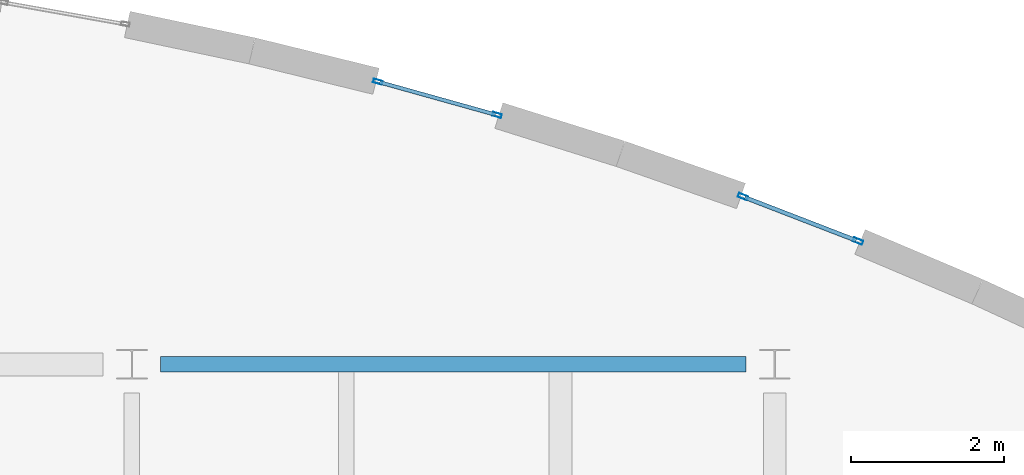
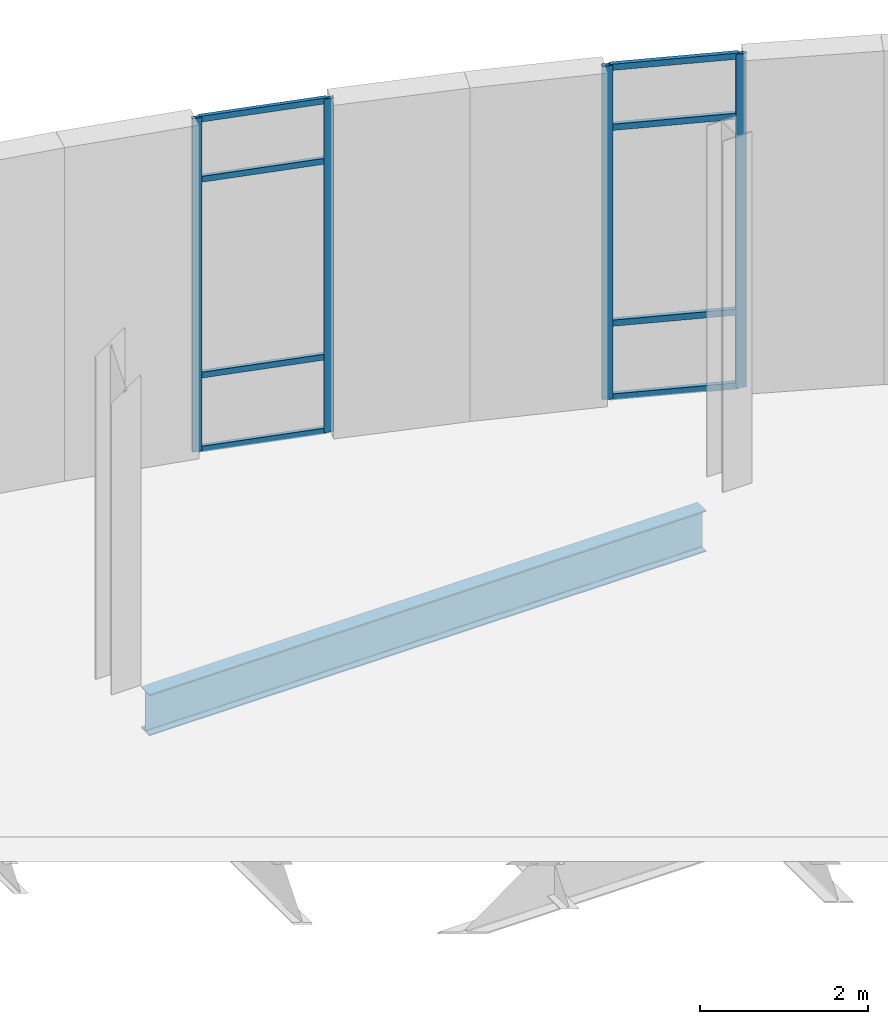
# One storey, part 38 of 104: 12 members, 1 beam, 2 elements without a shape of their own.
"""IFC4 building model written with IfcOpenShell, lengths in metres."""

from ifc_helpers import new_model, si_unit, direction, frame, origin, origin_2d, place, context, subcontext, project, spatial, hollow_rectangle, i_section, extrude, material, layer, layer_set, material_profile, profile_set, type_object, element, aggregate, save


model = new_model("IFC4")

# Units and contexts
model_context = context("Model", 3, precision=1e-05, world=origin(), true_north=direction((0.0, 1.0)))
body_context = subcontext(model_context, "Body", "Model", "MODEL_VIEW")
ifc_project = project(units=[si_unit("LENGTHUNIT", "METRE"), si_unit("AREAUNIT", "SQUARE_METRE"), si_unit("VOLUMEUNIT", "CUBIC_METRE"), si_unit("PLANEANGLEUNIT", "RADIAN"), si_unit("MASSUNIT", "GRAM", prefix="KILO"), si_unit("THERMODYNAMICTEMPERATUREUNIT", "KELVIN")], contexts=[model_context])

# Site, building, storey
site_placement = place(None, origin())
site = spatial("IfcSite", under=ifc_project, at=site_placement, CompositionType="ELEMENT")
building_placement = place(site_placement, origin())
building = spatial("IfcBuilding", under=site, at=building_placement, Name="Lustrewick Department Store", CompositionType="ELEMENT")
storey_placement = place(building_placement, frame((0.0, 0.0, 11.39990234375)))
storey = spatial("IfcBuildingStorey", under=building, at=storey_placement, Name="L03", CompositionType="ELEMENT", Elevation=11.39990234375)

# Curtain wall, members
ifc_material_1 = material(Name="Thermally broken aluminium 6063-T5", Category="aluminium")
ifc_layer_1 = layer(ifc_material_1, 0.1298828125, Name="Thermally broken aluminium 6063-T5")
ifc_layer_set_1 = layer_set([ifc_layer_1], Name="Thermally broken aluminium 6063-T5")
curtain_wall_type_1 = type_object("IfcCurtainWallType", Name="CW07", PredefinedType="NOTDEFINED", material=ifc_layer_set_1)
curtain_wall_1_placement = place(storey_placement, origin())
curtain_wall_1 = element("IfcCurtainWall", 1, at=curtain_wall_1_placement, inside=storey, type_object=curtain_wall_type_1, Name="L03 V4 Curtain Wall CW07", PredefinedType="NOTDEFINED")
ifc_material_profile_1 = material_profile(ifc_material_1, hollow_rectangle(XDim=0.054931640625, YDim=0.1298828125, WallThickness=0.00341796875, at=origin_2d()), Name="ALU-M 55x130x3.5")
ifc_profile_set_1 = profile_set([ifc_material_profile_1], Name="Thermally broken aluminium 6063-T5")
member_type_1 = type_object("IfcMemberType", Name="CW07-M1", PredefinedType="MULLION", material=ifc_profile_set_1)
member_1_placement = place(storey_placement, frame((135.48828125, 107.8095703125, 0.0), z_axis=(0.0, 0.0, 1.0), x_axis=(-0.360369620251, -0.932809593004, 0.0)))
member_1 = element("IfcMember", 2, at=member_1_placement, type_object=member_type_1, Name="CW07 mullion 1", PredefinedType="MULLION", context=body_context, shape_type="SweptSolid", body=[
    extrude(hollow_rectangle(XDim=0.054931640625, YDim=0.1298828125, WallThickness=0.00341796875, at=origin_2d()), origin(), (0.0, 0.0, 1.0), 4.84521484375),
])
member_2_placement = place(storey_placement, frame((133.984619140625, 108.390380859375, 0.0), z_axis=(0.0, 0.0, 1.0), x_axis=(-0.360369620251, -0.932809593004, 0.0)))
member_2 = element("IfcMember", 3, at=member_2_placement, type_object=member_type_1, Name="CW07 mullion 2", PredefinedType="MULLION", context=body_context, shape_type="SweptSolid", body=[
    extrude(hollow_rectangle(XDim=0.054931640625, YDim=0.1298828125, WallThickness=0.00341796875, at=origin_2d()), origin(), (0.0, 0.0, 1.0), 4.84521484375),
])
ifc_material_profile_2 = material_profile(ifc_material_1, hollow_rectangle(XDim=0.054931640625, YDim=0.090087890625, WallThickness=0.0029296875, at=origin_2d()), Name="ALU-T 55x90x3")
ifc_profile_set_2 = profile_set([ifc_material_profile_2], Name="Thermally broken aluminium 6063-T5")
member_type_2 = type_object("IfcMemberType", Name="CW07-T1", PredefinedType="USERDEFINED", material=ifc_profile_set_2)
member_3_placement = place(storey_placement, frame((135.462646484375, 107.819580078125, 0.027587890625), z_axis=(-0.932823291146, 0.360334160877, 0.0), x_axis=(-0.360334160877, -0.932823291146, 0.0)))
member_3 = element("IfcMember", 4, at=member_3_placement, type_object=member_type_2, Name="CW07 transom 1.1", ObjectType="TRANSOM", PredefinedType="USERDEFINED", context=body_context, shape_type="SweptSolid", body=[
    extrude(hollow_rectangle(XDim=0.054931640625, YDim=0.090087890625, WallThickness=0.0029296875, at=origin_2d()), origin(), (0.0, 0.0, 1.0), 1.556884765625),
])
member_4_placement = place(storey_placement, frame((135.462646484375, 107.819580078125, 1.10009765625), z_axis=(-0.932823291146, 0.360334160877, 0.0), x_axis=(-0.360334160877, -0.932823291146, 0.0)))
member_4 = element("IfcMember", 5, at=member_4_placement, type_object=member_type_2, Name="CW07 transom 1.2", ObjectType="TRANSOM", PredefinedType="USERDEFINED", context=body_context, shape_type="SweptSolid", body=[
    extrude(hollow_rectangle(XDim=0.054931640625, YDim=0.090087890625, WallThickness=0.0029296875, at=origin_2d()), origin(), (0.0, 0.0, 1.0), 1.556884765625),
])
member_5_placement = place(storey_placement, frame((135.462646484375, 107.819580078125, 3.945068359375), z_axis=(-0.932823291146, 0.360334160877, 0.0), x_axis=(-0.360334160877, -0.932823291146, 0.0)))
member_5 = element("IfcMember", 6, at=member_5_placement, type_object=member_type_2, Name="CW07 transom 1.3", ObjectType="TRANSOM", PredefinedType="USERDEFINED", context=body_context, shape_type="SweptSolid", body=[
    extrude(hollow_rectangle(XDim=0.054931640625, YDim=0.090087890625, WallThickness=0.0029296875, at=origin_2d()), origin(), (0.0, 0.0, 1.0), 1.556884765625),
])
member_6_placement = place(storey_placement, frame((135.462646484375, 107.819580078125, 4.817626953125), z_axis=(-0.932823291146, 0.360334160877, 0.0), x_axis=(-0.360334160877, -0.932823291146, 0.0)))
member_6 = element("IfcMember", 7, at=member_6_placement, type_object=member_type_2, Name="CW07 transom 1.4", ObjectType="TRANSOM", PredefinedType="USERDEFINED", context=body_context, shape_type="SweptSolid", body=[
    extrude(hollow_rectangle(XDim=0.054931640625, YDim=0.090087890625, WallThickness=0.0029296875, at=origin_2d()), origin(), (0.0, 0.0, 1.0), 1.556884765625),
])
aggregate(curtain_wall_1, [member_1, member_2, member_3, member_4, member_5, member_6])

ifc_layer_2 = layer(ifc_material_1, 0.1201171875, Name="Thermally broken aluminium 6063-T5")
ifc_layer_set_2 = layer_set([ifc_layer_2], Name="Thermally broken aluminium 6063-T5")
curtain_wall_type_2 = type_object("IfcCurtainWallType", Name="CW08", PredefinedType="NOTDEFINED", material=ifc_layer_set_2)
curtain_wall_2_placement = place(storey_placement, origin())
curtain_wall_2 = element("IfcCurtainWall", 8, at=curtain_wall_2_placement, inside=storey, type_object=curtain_wall_type_2, Name="L03 V4 Curtain Wall CW08", PredefinedType="NOTDEFINED")
ifc_material_profile_3 = material_profile(ifc_material_1, hollow_rectangle(XDim=0.050048828125, YDim=0.1201171875, WallThickness=0.0029296875, at=origin_2d()), Name="ALU-M 50x120x3")
ifc_profile_set_3 = profile_set([ifc_material_profile_3], Name="Thermally broken aluminium 6063-T5")
member_type_3 = type_object("IfcMemberType", Name="CW08-M1", PredefinedType="MULLION", material=ifc_profile_set_3)
member_7_placement = place(storey_placement, frame((130.771240234375, 109.45751953125, 0.0), z_axis=(0.0, 0.0, 1.0), x_axis=(-0.269122540313, -0.963105943443, 0.0)))
member_7 = element("IfcMember", 9, at=member_7_placement, type_object=member_type_3, Name="CW08 mullion 1", PredefinedType="MULLION", context=body_context, shape_type="SweptSolid", body=[
    extrude(hollow_rectangle(XDim=0.050048828125, YDim=0.1201171875, WallThickness=0.0029296875, at=origin_2d()), origin(), (0.0, 0.0, 1.0), 4.84521484375),
])
member_8_placement = place(storey_placement, frame((129.214111328125, 109.892578125, 0.0), z_axis=(0.0, 0.0, 1.0), x_axis=(-0.269122540313, -0.963105943443, 0.0)))
member_8 = element("IfcMember", 10, at=member_8_placement, type_object=member_type_3, Name="CW08 mullion 2", PredefinedType="MULLION", context=body_context, shape_type="SweptSolid", body=[
    extrude(hollow_rectangle(XDim=0.050048828125, YDim=0.1201171875, WallThickness=0.0029296875, at=origin_2d()), origin(), (0.0, 0.0, 1.0), 4.84521484375),
])
ifc_material_profile_4 = material_profile(ifc_material_1, hollow_rectangle(XDim=0.050048828125, YDim=0.0849609375, WallThickness=0.0029296875, at=origin_2d()), Name="ALU-T 50x85x3")
ifc_profile_set_4 = profile_set([ifc_material_profile_4], Name="Thermally broken aluminium 6063-T5")
member_type_4 = type_object("IfcMemberType", Name="CW08-T1", PredefinedType="USERDEFINED", material=ifc_profile_set_4)
member_9_placement = place(storey_placement, frame((130.747314453125, 109.464111328125, 0.025146484375), z_axis=(-0.963124036512, 0.269057782442, 0.0), x_axis=(-0.269057782442, -0.963124036512, 0.0)))
member_9 = element("IfcMember", 11, at=member_9_placement, type_object=member_type_4, Name="CW08 transom 1.1", ObjectType="TRANSOM", PredefinedType="USERDEFINED", context=body_context, shape_type="SweptSolid", body=[
    extrude(hollow_rectangle(XDim=0.050048828125, YDim=0.0849609375, WallThickness=0.0029296875, at=origin_2d()), origin(), (0.0, 0.0, 1.0), 1.567138671875),
])
member_10_placement = place(storey_placement, frame((130.747314453125, 109.464111328125, 1.10009765625), z_axis=(-0.963124036512, 0.269057782442, 0.0), x_axis=(-0.269057782442, -0.963124036512, 0.0)))
member_10 = element("IfcMember", 12, at=member_10_placement, type_object=member_type_4, Name="CW08 transom 1.2", ObjectType="TRANSOM", PredefinedType="USERDEFINED", context=body_context, shape_type="SweptSolid", body=[
    extrude(hollow_rectangle(XDim=0.050048828125, YDim=0.0849609375, WallThickness=0.0029296875, at=origin_2d()), origin(), (0.0, 0.0, 1.0), 1.567138671875),
])
member_11_placement = place(storey_placement, frame((130.747314453125, 109.464111328125, 3.945068359375), z_axis=(-0.963124036512, 0.269057782442, 0.0), x_axis=(-0.269057782442, -0.963124036512, 0.0)))
member_11 = element("IfcMember", 13, at=member_11_placement, type_object=member_type_4, Name="CW08 transom 1.3", ObjectType="TRANSOM", PredefinedType="USERDEFINED", context=body_context, shape_type="SweptSolid", body=[
    extrude(hollow_rectangle(XDim=0.050048828125, YDim=0.0849609375, WallThickness=0.0029296875, at=origin_2d()), origin(), (0.0, 0.0, 1.0), 1.567138671875),
])
member_12_placement = place(storey_placement, frame((130.747314453125, 109.464111328125, 4.820068359375), z_axis=(-0.963124036512, 0.269057782442, 0.0), x_axis=(-0.269057782442, -0.963124036512, 0.0)))
member_12 = element("IfcMember", 14, at=member_12_placement, type_object=member_type_4, Name="CW08 transom 1.4", ObjectType="TRANSOM", PredefinedType="USERDEFINED", context=body_context, shape_type="SweptSolid", body=[
    extrude(hollow_rectangle(XDim=0.050048828125, YDim=0.0849609375, WallThickness=0.0029296875, at=origin_2d()), origin(), (0.0, 0.0, 1.0), 1.567138671875),
])
aggregate(curtain_wall_2, [member_7, member_8, member_9, member_10, member_11, member_12])

# Beam
ifc_material_2 = material(Name="Structural steel Q355B", Category="steel")
ifc_material_profile_5 = material_profile(ifc_material_2, i_section(OverallWidth=0.199951171875, OverallDepth=0.60009765625, WebThickness=0.010986328125, FlangeThickness=0.01708984375, FilletRadius=0.01806640625, at=origin_2d()), Name="HN 600x200x11x17")
ifc_profile_set_5 = profile_set([ifc_material_profile_5], Name="Structural steel Q355B")
beam_type = type_object("IfcBeamType", Name="G14", PredefinedType="BEAM", material=ifc_profile_set_5)
beam_placement = place(storey_placement, frame((126.375, 106.199951171875, -0.554931640625), z_axis=(1.0, 0.0, 0.0), x_axis=(0.0, 1.0, 0.0)))
element("IfcBeam", 15, at=beam_placement, inside=storey, type_object=beam_type, Name="L03 V4 Girder G14", PredefinedType="BEAM", context=body_context, shape_type="SweptSolid", body=[
    extrude(i_section(OverallWidth=0.199951171875, OverallDepth=0.60009765625, WebThickness=0.010986328125, FlangeThickness=0.01708984375, FilletRadius=0.01806640625, at=origin_2d()), origin(), (0.0, 0.0, 1.0), 7.64990234375),
])

save(model, "model.ifc")
